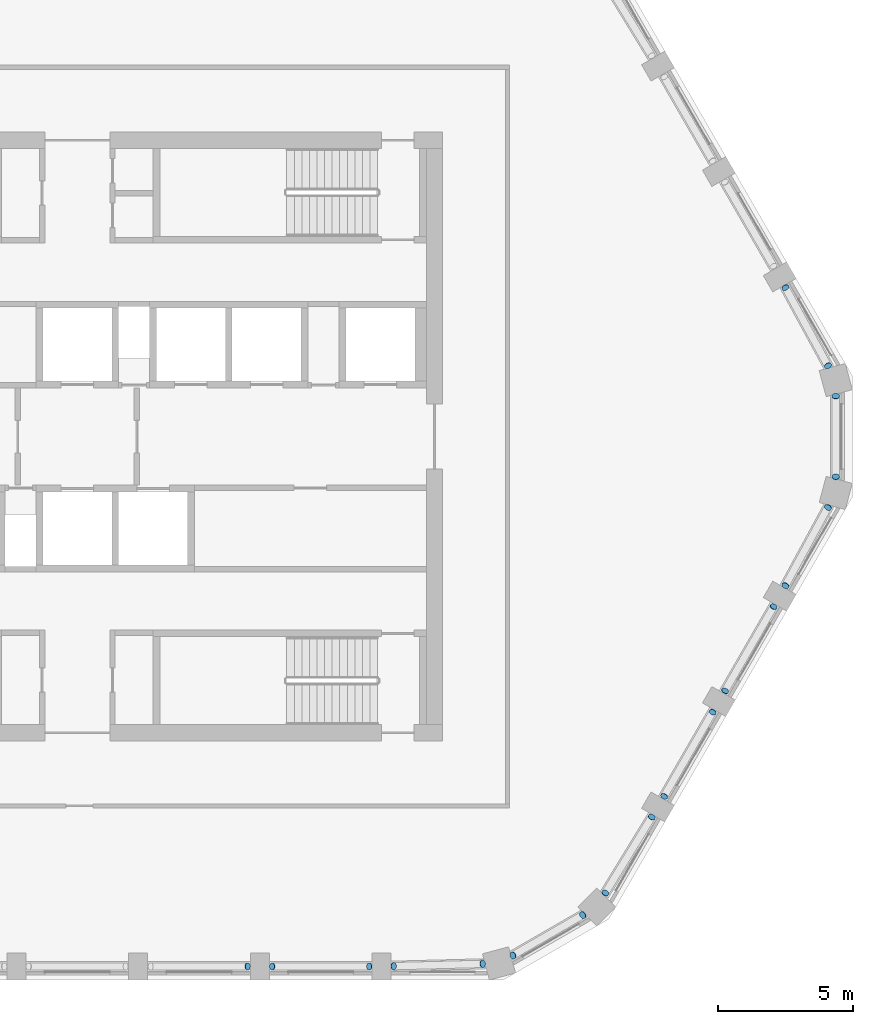
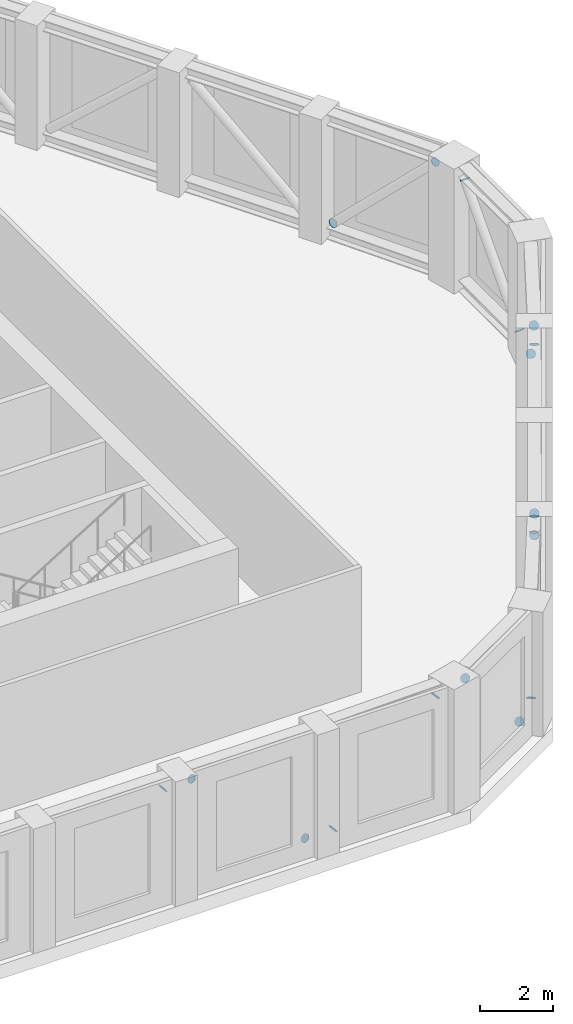
# One storey, part 10 of 14: 19 discrete accessories.
"""IFC4 building model written with IfcOpenShell, lengths in metres."""

from ifc_helpers import new_model, si_unit, direction, frame, origin, origin_2d, place, context, subcontext, project, spatial, circle, extrude, material, material_profile, profile_set, type_object, element, save


model = new_model("IFC4")

# Units and contexts
model_context = context("Model", 3, precision=1e-05, world=origin(), true_north=direction((0.0, 1.0)))
body_context = subcontext(model_context, "Body", "Model", "MODEL_VIEW")
ifc_project = project(units=[si_unit("LENGTHUNIT", "METRE"), si_unit("AREAUNIT", "SQUARE_METRE"), si_unit("VOLUMEUNIT", "CUBIC_METRE"), si_unit("PLANEANGLEUNIT", "RADIAN"), si_unit("MASSUNIT", "GRAM", prefix="KILO")], contexts=[model_context])

# Site, building, storey
site_placement = place(None, origin())
site = spatial("IfcSite", under=ifc_project, at=site_placement, CompositionType="ELEMENT")
building_placement = place(site_placement, origin())
building = spatial("IfcBuilding", under=site, at=building_placement, Name="Dhurran Vertical Campus", CompositionType="ELEMENT")
storey_placement = place(building_placement, frame((0.0, 0.0, 282.0)))
storey = spatial("IfcBuildingStorey", under=building, at=storey_placement, Name="L70 Plant", CompositionType="ELEMENT", Elevation=282.0)

# Discrete accessories
ifc_material = material(Name="Steel S355J2", Category="steel")
ifc_material_profile = material_profile(ifc_material, circle(Radius=0.136474609375, at=origin_2d()), Name="Tube end cap 273 x 20")
ifc_profile_set = profile_set([ifc_material_profile], Name="Steel S355J2")
discrete_accessory_type = type_object("IfcDiscreteAccessoryType", Name="Tube end cap 273 x 20", PredefinedType="USERDEFINED", material=ifc_profile_set)
for number, where, z_axis, x_axis, name in (
    (1, (6.287841796875, -19.58837890625, 3.70166015625), (0.737154140201, 0.0, 0.675724628517), (0.0, 1.0, 0.0), "EC1 belt L70 d04 capB"),
    (2, (10.787841796875, -19.58837890625, 0.473388671875), (0.737154140201, 0.0, -0.675724628517), (0.0, 1.0, 0.0), "EC1 belt L70 d05 capA"),
    (3, (7.212158203125, -19.58837890625, 3.70166015625), (-0.737154140201, 0.0, 0.675724628517), (0.0, -1.0, 0.0), "EC1 belt L70 d05 capB"),
    (4, (11.6982421875, -19.576904296875, 0.468994140625), (-0.713174651018, -0.012296114673, -0.700878536345), (0.017238817251, -0.999851400549, 0.0), "EC1 belt L70 d06 capA"),
):
    element("IfcDiscreteAccessory", number, at=place(storey_placement, frame(where, z_axis=z_axis, x_axis=x_axis)), inside=storey, type_object=discrete_accessory_type, Name=name, ObjectType="END CAP", PredefinedType="USERDEFINED", context=body_context, shape_type="SweptSolid", body=[
        extrude(circle(Radius=0.136474609375, at=origin_2d()), origin(), (0.0, 0.0, 1.0), 0.019775390625),
    ])
discrete_accessory_1_placement = place(storey_placement, frame((14.9736328125, -19.491943359375, 3.705810546875), z_axis=(0.707054237491, 0.012190590302, 0.707054237491), x_axis=(-0.017238817251, 0.999851400549, 0.0)))
element("IfcDiscreteAccessory", 5, at=discrete_accessory_1_placement, inside=storey, type_object=discrete_accessory_type, Name="EC1 belt L70 d06 capB", ObjectType="END CAP", PredefinedType="USERDEFINED", context=body_context, shape_type="SweptSolid", body=[
    extrude(circle(Radius=0.136474609375, at=origin_2d()), origin(), (0.0, 0.0, 1.0), 0.02001953125),
])
discrete_accessory_2_placement = place(storey_placement, frame((18.677490234375, -17.691162109375, 0.464111328125), z_axis=(0.581700678397, 0.339325395732, -0.73924461213), x_axis=(-0.503871025524, 0.863778900898, 0.0)))
element("IfcDiscreteAccessory", 6, at=discrete_accessory_2_placement, inside=storey, type_object=discrete_accessory_type, Name="EC1 belt L70 d07 capA", ObjectType="END CAP", PredefinedType="USERDEFINED", context=body_context, shape_type="SweptSolid", body=[
    extrude(circle(Radius=0.136474609375, at=origin_2d()), origin(), (0.0, 0.0, 1.0), 0.020263671875),
])
for number, where, z_axis, x_axis, name in (
    (7, (16.107177734375, -19.17529296875, 3.7109375), (-0.589367574947, -0.331519260908, 0.736709468684), (0.490261239633, -0.871575537125, 0.0), "EC1 belt L70 d07 capB"),
    (8, (19.518798828125, -16.867919921875, 0.468994140625), (-0.381266032616, -0.602646309619, -0.701037543842), (0.845078836052, -0.534641712604, 0.0), "EC1 belt L70 d08 capA"),
):
    element("IfcDiscreteAccessory", number, at=place(storey_placement, frame(where, z_axis=z_axis, x_axis=x_axis)), inside=storey, type_object=discrete_accessory_type, Name=name, ObjectType="END CAP", PredefinedType="USERDEFINED", context=body_context, shape_type="SweptSolid", body=[
        extrude(circle(Radius=0.136474609375, at=origin_2d()), origin(), (0.0, 0.0, 1.0), 0.019775390625),
    ])
for number, where, z_axis, x_axis, name in (
    (9, (21.22998046875, -14.07373046875, 3.705810546875), (0.364770287314, 0.607950478857, 0.705222555474), (-0.857492925713, 0.514495755428, 0.0), "EC1 belt L70 d08 capB"),
    (10, (23.48291015625, -10.194580078125, 0.473388671875), (0.376068504711, 0.642955830635, -0.66721831481), (-0.863187603129, 0.504883315038, 0.0), "EC1 belt L70 d09 capA"),
    (11, (21.6953125, -13.291015625, 3.70166015625), (-0.376068504711, -0.642955830635, 0.66721831481), (0.863187603129, -0.504883315038, 0.0), "EC1 belt L70 d09 capB"),
    (12, (23.9453125, -9.393798828125, 0.473388671875), (-0.376068504711, -0.642955830635, -0.66721831481), (0.863187603129, -0.504883315038, 0.0), "EC1 belt L70 d10 capA"),
    (13, (25.73291015625, -6.29736328125, 3.70166015625), (0.376068504711, 0.642955830635, 0.66721831481), (-0.863187603129, 0.504883315038, 0.0), "EC1 belt L70 d10 capB"),
):
    element("IfcDiscreteAccessory", number, at=place(storey_placement, frame(where, z_axis=z_axis, x_axis=x_axis)), inside=storey, type_object=discrete_accessory_type, Name=name, ObjectType="END CAP", PredefinedType="USERDEFINED", context=body_context, shape_type="SweptSolid", body=[
        extrude(circle(Radius=0.136474609375, at=origin_2d()), origin(), (0.0, 0.0, 1.0), 0.02001953125),
    ])
discrete_accessory_3_placement = place(storey_placement, frame((27.7421875, -2.6240234375, 0.468994140625), z_axis=(0.343771839277, 0.626155850111, -0.699821244242), x_axis=(-0.87657855078, 0.481258812193, 0.0)))
element("IfcDiscreteAccessory", 14, at=discrete_accessory_3_placement, inside=storey, type_object=discrete_accessory_type, Name="EC1 belt L70 d11 capA", ObjectType="END CAP", PredefinedType="USERDEFINED", context=body_context, shape_type="SweptSolid", body=[
    extrude(circle(Radius=0.136474609375, at=origin_2d()), origin(), (0.0, 0.0, 1.0), 0.019775390625),
])
for number, where, z_axis, x_axis, name in (
    (15, (26.17822265625, -5.503173828125, 3.705810546875), (-0.340830394523, -0.620798218596, 0.706005817226), (0.87657855078, -0.481258812193, 0.0), "EC1 belt L70 d11 capB"),
    (16, (28.03466796875, -1.484130859375, 0.464111328125), (0.0, -0.669637121797, -0.742688444175), (1.0, 0.0, 0.0), "EC1 belt L70 d12 capA"),
):
    element("IfcDiscreteAccessory", number, at=place(storey_placement, frame(where, z_axis=z_axis, x_axis=x_axis)), inside=storey, type_object=discrete_accessory_type, Name=name, ObjectType="END CAP", PredefinedType="USERDEFINED", context=body_context, shape_type="SweptSolid", body=[
        extrude(circle(Radius=0.136474609375, at=origin_2d()), origin(), (0.0, 0.0, 1.0), 0.02001953125),
    ])
for number, where, z_axis, x_axis, name in (
    (17, (28.03466796875, 1.484130859375, 3.7109375), (0.0, 0.675724628517, 0.737154140201), (-1.0, 0.0, 0.0), "EC1 belt L70 d12 capB"),
    (18, (26.17822265625, 5.503173828125, 0.468994140625), (-0.343771839277, 0.626155850111, -0.699821244242), (-0.87657855078, -0.481258812193, 0.0), "EC1 belt L70 d13 capA"),
):
    element("IfcDiscreteAccessory", number, at=place(storey_placement, frame(where, z_axis=z_axis, x_axis=x_axis)), inside=storey, type_object=discrete_accessory_type, Name=name, ObjectType="END CAP", PredefinedType="USERDEFINED", context=body_context, shape_type="SweptSolid", body=[
        extrude(circle(Radius=0.136474609375, at=origin_2d()), origin(), (0.0, 0.0, 1.0), 0.019775390625),
    ])
discrete_accessory_4_placement = place(storey_placement, frame((27.7421875, 2.6240234375, 3.705810546875), z_axis=(0.340830394523, -0.620798218596, 0.706005817226), x_axis=(0.87657855078, 0.481258812193, 0.0)))
element("IfcDiscreteAccessory", 19, at=discrete_accessory_4_placement, inside=storey, type_object=discrete_accessory_type, Name="EC1 belt L70 d13 capB", ObjectType="END CAP", PredefinedType="USERDEFINED", context=body_context, shape_type="SweptSolid", body=[
    extrude(circle(Radius=0.136474609375, at=origin_2d()), origin(), (0.0, 0.0, 1.0), 0.02001953125),
])

save(model, "model.ifc")
